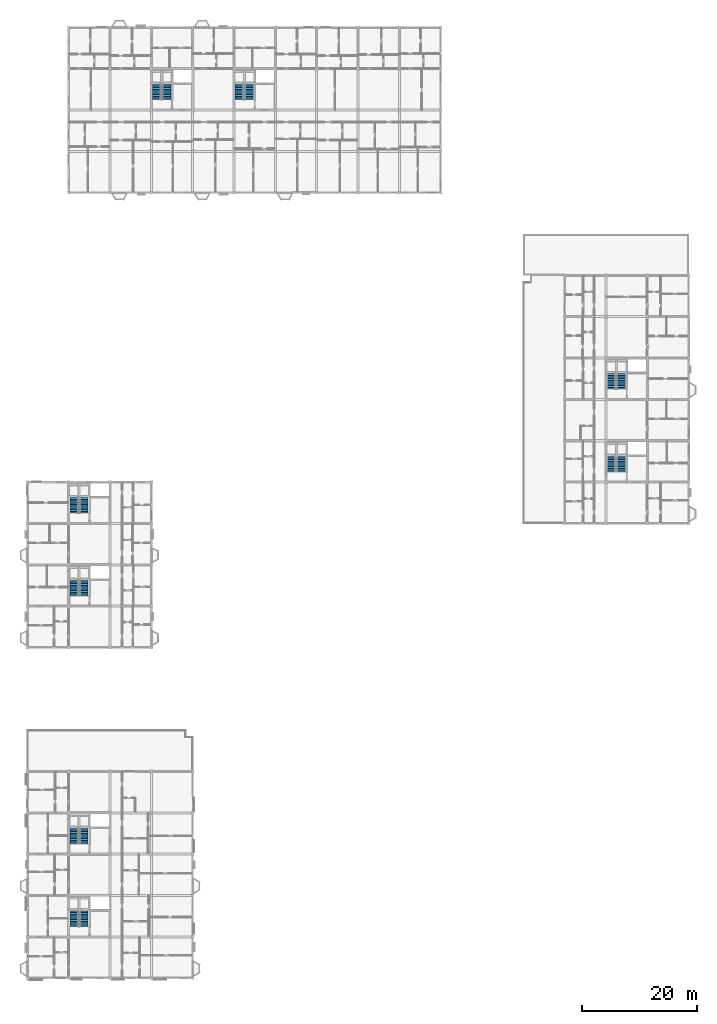
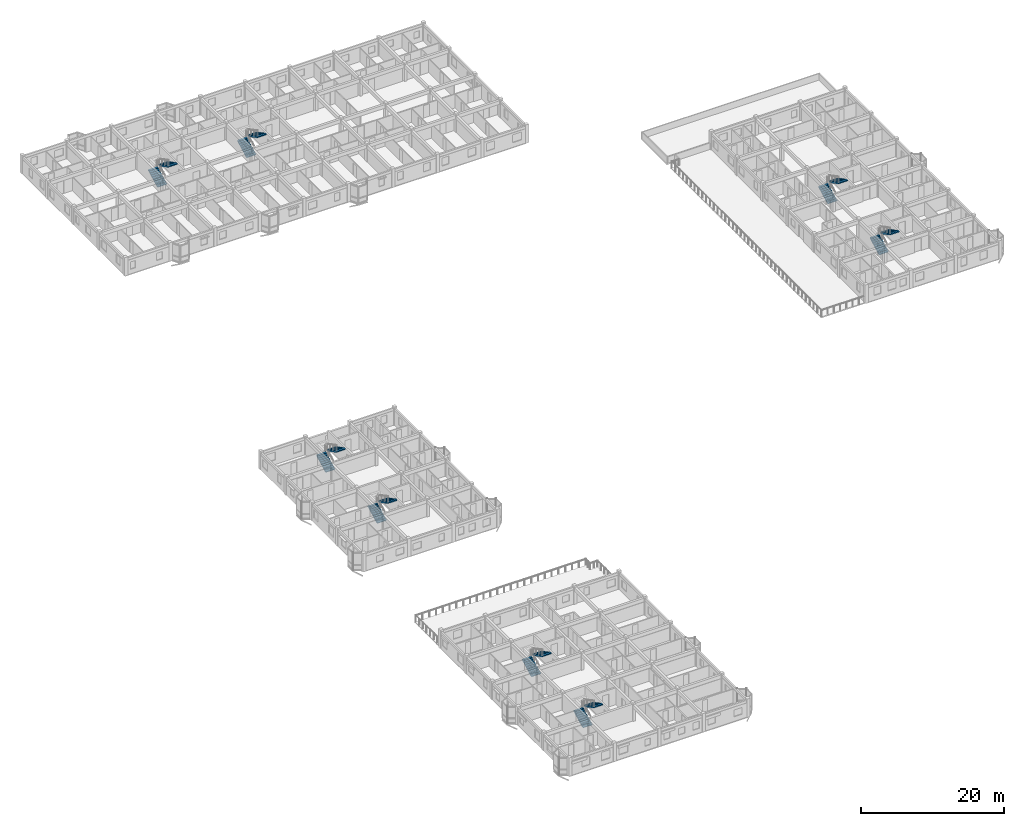
# One storey, part 66 of 70: 16 stair flights, 8 elements without a shape of their own.
"""IFC4 building model written with IfcOpenShell, lengths in metres."""

from ifc_helpers import new_model, si_unit, direction, frame, origin, place, context, subcontext, project, spatial, polyline, outline, extrude, material, type_object, element, aggregate, save


model = new_model("IFC4")

# Units and contexts
model_context = context("Model", 3, precision=1e-05, world=origin(), true_north=direction((0.0, 1.0)))
body_context = subcontext(model_context, "Body", "Model", "MODEL_VIEW")
ifc_project = project(units=[si_unit("LENGTHUNIT", "METRE"), si_unit("AREAUNIT", "SQUARE_METRE"), si_unit("VOLUMEUNIT", "CUBIC_METRE"), si_unit("PLANEANGLEUNIT", "RADIAN"), si_unit("MASSUNIT", "GRAM", prefix="KILO"), si_unit("THERMODYNAMICTEMPERATUREUNIT", "KELVIN"), si_unit("POWERUNIT", "WATT")], contexts=[model_context])

# Site, building, storey
site_placement = place(None, origin())
site = spatial("IfcSite", under=ifc_project, at=site_placement, CompositionType="ELEMENT")
building_placement = place(site_placement, origin())
building = spatial("IfcBuilding", under=site, at=building_placement, Name="Tavuni Mirador Residences", CompositionType="ELEMENT")
storey_placement = place(building_placement, frame((0.0, 0.0, 23.39990234375)))
storey = spatial("IfcBuildingStorey", under=building, at=storey_placement, Name="L07", CompositionType="ELEMENT", Elevation=23.39990234375)

# Stair, stair flights
ifc_material = material(Name="Precast concrete C40/50", Category="concrete")
stair_type = type_object("IfcStairType", Name="STT-TYP", PredefinedType="HALF_TURN_STAIR", material=ifc_material)
stair_1_placement = place(storey_placement, origin())
stair_1 = element("IfcStair", 1, at=stair_1_placement, inside=storey, type_object=stair_type, Name="Protected exit stair ST1 (L07)", PredefinedType="HALF_TURN_STAIR")
stair_flight_type = type_object("IfcStairFlightType", Name="SFT-1500", PredefinedType="STRAIGHT", material=ifc_material)
stair_flight_1_placement = place(storey_placement, frame((11.75, 16.199951171875, 0.0), z_axis=(0.0, 0.0, 1.0), x_axis=(0.0, 1.0, 0.0)))
stair_flight_1 = element("IfcStairFlight", 2, at=stair_flight_1_placement, type_object=stair_flight_type, Name="ST1 flight 1", NumberOfRisers=10, NumberOfTreads=9, PredefinedType="STRAIGHT", RiserHeight=0.1575, TreadLength=0.3, context=body_context, shape_type="SweptSolid", body=[
    extrude(outline(polyline([(0.0, 0.0), (0.0, 0.157470703125), (0.300048828125, 0.157470703125), (0.300048828125, 0.31494140625), (0.60009765625, 0.31494140625), (0.60009765625, 0.472412109375), (0.89990234375, 0.472412109375), (0.89990234375, 0.6298828125), (1.199951171875, 0.6298828125), (1.199951171875, 0.78759765625), (1.5, 0.78759765625), (1.5, 0.945068359375), (1.800048828125, 0.945068359375), (1.800048828125, 1.1025390625), (2.10009765625, 1.1025390625), (2.10009765625, 1.260009765625), (2.39990234375, 1.260009765625), (2.39990234375, 1.41748046875), (2.699951171875, 1.41748046875), (2.699951171875, 1.574951171875), (2.699951171875, 1.23681640625), (0.343994140625, 0.0), (0.0, 0.0)])), frame((0.0, 0.75, 0.0), z_axis=(0.0, -1.0, 0.0), x_axis=(1.0, 0.0, 0.0)), (0.0, 0.0, 1.0), 1.5),
])
stair_flight_2_placement = place(storey_placement, frame((13.449951171875, 18.89990234375, 1.5751953125), z_axis=(0.0, 0.0, 1.0), x_axis=(0.0, -1.0, 0.0)))
stair_flight_2 = element("IfcStairFlight", 3, at=stair_flight_2_placement, type_object=stair_flight_type, Name="ST1 flight 2", NumberOfRisers=10, NumberOfTreads=9, PredefinedType="STRAIGHT", RiserHeight=0.1575, TreadLength=0.3, context=body_context, shape_type="SweptSolid", body=[
    extrude(outline(polyline([(0.0, 0.0), (0.0, 0.157470703125), (0.300048828125, 0.157470703125), (0.300048828125, 0.31494140625), (0.60009765625, 0.31494140625), (0.60009765625, 0.472412109375), (0.89990234375, 0.472412109375), (0.89990234375, 0.6298828125), (1.199951171875, 0.6298828125), (1.199951171875, 0.78759765625), (1.5, 0.78759765625), (1.5, 0.945068359375), (1.800048828125, 0.945068359375), (1.800048828125, 1.1025390625), (2.10009765625, 1.1025390625), (2.10009765625, 1.260009765625), (2.39990234375, 1.260009765625), (2.39990234375, 1.41748046875), (2.699951171875, 1.41748046875), (2.699951171875, 1.574951171875), (2.699951171875, 1.23681640625), (0.343994140625, 0.0), (0.0, 0.0)])), frame((0.0, 0.75, 0.0), z_axis=(0.0, -1.0, 0.0), x_axis=(1.0, 0.0, 0.0)), (0.0, 0.0, 1.0), 1.5),
])
aggregate(stair_1, [stair_flight_1, stair_flight_2])

stair_2_placement = place(storey_placement, origin())
stair_2 = element("IfcStair", 4, at=stair_2_placement, inside=storey, type_object=stair_type, Name="Protected exit stair ST2 (L07)", PredefinedType="HALF_TURN_STAIR")
stair_flight_3_placement = place(storey_placement, frame((11.75, 30.60009765625, 0.0), z_axis=(0.0, 0.0, 1.0), x_axis=(0.0, 1.0, 0.0)))
stair_flight_3 = element("IfcStairFlight", 5, at=stair_flight_3_placement, type_object=stair_flight_type, Name="ST2 flight 1", NumberOfRisers=10, NumberOfTreads=9, PredefinedType="STRAIGHT", RiserHeight=0.1575, TreadLength=0.3, context=body_context, shape_type="SweptSolid", body=[
    extrude(outline(polyline([(0.0, 0.0), (0.0, 0.157470703125), (0.300048828125, 0.157470703125), (0.300048828125, 0.31494140625), (0.60009765625, 0.31494140625), (0.60009765625, 0.472412109375), (0.89990234375, 0.472412109375), (0.89990234375, 0.6298828125), (1.199951171875, 0.6298828125), (1.199951171875, 0.78759765625), (1.5, 0.78759765625), (1.5, 0.945068359375), (1.800048828125, 0.945068359375), (1.800048828125, 1.1025390625), (2.10009765625, 1.1025390625), (2.10009765625, 1.260009765625), (2.39990234375, 1.260009765625), (2.39990234375, 1.41748046875), (2.699951171875, 1.41748046875), (2.699951171875, 1.574951171875), (2.699951171875, 1.23681640625), (0.343994140625, 0.0), (0.0, 0.0)])), frame((0.0, 0.75, 0.0), z_axis=(0.0, -1.0, 0.0), x_axis=(1.0, 0.0, 0.0)), (0.0, 0.0, 1.0), 1.5),
])
stair_flight_4_placement = place(storey_placement, frame((13.449951171875, 33.300048828125, 1.5751953125), z_axis=(0.0, 0.0, 1.0), x_axis=(0.0, -1.0, 0.0)))
stair_flight_4 = element("IfcStairFlight", 6, at=stair_flight_4_placement, type_object=stair_flight_type, Name="ST2 flight 2", NumberOfRisers=10, NumberOfTreads=9, PredefinedType="STRAIGHT", RiserHeight=0.1575, TreadLength=0.3, context=body_context, shape_type="SweptSolid", body=[
    extrude(outline(polyline([(0.0, 0.0), (0.0, 0.157470703125), (0.300048828125, 0.157470703125), (0.300048828125, 0.31494140625), (0.60009765625, 0.31494140625), (0.60009765625, 0.472412109375), (0.89990234375, 0.472412109375), (0.89990234375, 0.6298828125), (1.199951171875, 0.6298828125), (1.199951171875, 0.78759765625), (1.5, 0.78759765625), (1.5, 0.945068359375), (1.800048828125, 0.945068359375), (1.800048828125, 1.1025390625), (2.10009765625, 1.1025390625), (2.10009765625, 1.260009765625), (2.39990234375, 1.260009765625), (2.39990234375, 1.41748046875), (2.699951171875, 1.41748046875), (2.699951171875, 1.574951171875), (2.699951171875, 1.23681640625), (0.343994140625, 0.0), (0.0, 0.0)])), frame((0.0, 0.75, 0.0), z_axis=(0.0, -1.0, 0.0), x_axis=(1.0, 0.0, 0.0)), (0.0, 0.0, 1.0), 1.5),
])
aggregate(stair_2, [stair_flight_3, stair_flight_4])

stair_3_placement = place(storey_placement, origin())
stair_3 = element("IfcStair", 7, at=stair_3_placement, inside=storey, type_object=stair_type, Name="Protected exit stair ST3 (L07)", PredefinedType="HALF_TURN_STAIR")
stair_flight_5_placement = place(storey_placement, frame((11.75, 73.800048828125, 0.0), z_axis=(0.0, 0.0, 1.0), x_axis=(0.0, 1.0, 0.0)))
stair_flight_5 = element("IfcStairFlight", 8, at=stair_flight_5_placement, type_object=stair_flight_type, Name="ST3 flight 1", NumberOfRisers=10, NumberOfTreads=9, PredefinedType="STRAIGHT", RiserHeight=0.1575, TreadLength=0.3, context=body_context, shape_type="SweptSolid", body=[
    extrude(outline(polyline([(0.0, 0.0), (0.0, 0.157470703125), (0.300048828125, 0.157470703125), (0.300048828125, 0.31494140625), (0.60009765625, 0.31494140625), (0.60009765625, 0.472412109375), (0.89990234375, 0.472412109375), (0.89990234375, 0.6298828125), (1.199951171875, 0.6298828125), (1.199951171875, 0.78759765625), (1.5, 0.78759765625), (1.5, 0.945068359375), (1.800048828125, 0.945068359375), (1.800048828125, 1.1025390625), (2.10009765625, 1.1025390625), (2.10009765625, 1.260009765625), (2.39990234375, 1.260009765625), (2.39990234375, 1.41748046875), (2.699951171875, 1.41748046875), (2.699951171875, 1.574951171875), (2.699951171875, 1.23681640625), (0.343994140625, 0.0), (0.0, 0.0)])), frame((0.0, 0.75, 0.0), z_axis=(0.0, -1.0, 0.0), x_axis=(1.0, 0.0, 0.0)), (0.0, 0.0, 1.0), 1.5),
])
stair_flight_6_placement = place(storey_placement, frame((13.449951171875, 76.5, 1.5751953125), z_axis=(0.0, 0.0, 1.0), x_axis=(0.0, -1.0, 0.0)))
stair_flight_6 = element("IfcStairFlight", 9, at=stair_flight_6_placement, type_object=stair_flight_type, Name="ST3 flight 2", NumberOfRisers=10, NumberOfTreads=9, PredefinedType="STRAIGHT", RiserHeight=0.1575, TreadLength=0.3, context=body_context, shape_type="SweptSolid", body=[
    extrude(outline(polyline([(0.0, 0.0), (0.0, 0.157470703125), (0.300048828125, 0.157470703125), (0.300048828125, 0.31494140625), (0.60009765625, 0.31494140625), (0.60009765625, 0.472412109375), (0.89990234375, 0.472412109375), (0.89990234375, 0.6298828125), (1.199951171875, 0.6298828125), (1.199951171875, 0.78759765625), (1.5, 0.78759765625), (1.5, 0.945068359375), (1.800048828125, 0.945068359375), (1.800048828125, 1.1025390625), (2.10009765625, 1.1025390625), (2.10009765625, 1.260009765625), (2.39990234375, 1.260009765625), (2.39990234375, 1.41748046875), (2.699951171875, 1.41748046875), (2.699951171875, 1.574951171875), (2.699951171875, 1.23681640625), (0.343994140625, 0.0), (0.0, 0.0)])), frame((0.0, 0.75, 0.0), z_axis=(0.0, -1.0, 0.0), x_axis=(1.0, 0.0, 0.0)), (0.0, 0.0, 1.0), 1.5),
])
aggregate(stair_3, [stair_flight_5, stair_flight_6])

stair_4_placement = place(storey_placement, origin())
stair_4 = element("IfcStair", 10, at=stair_4_placement, inside=storey, type_object=stair_type, Name="Protected exit stair ST4 (L07)", PredefinedType="HALF_TURN_STAIR")
stair_flight_7_placement = place(storey_placement, frame((11.75, 88.199951171875, 0.0), z_axis=(0.0, 0.0, 1.0), x_axis=(0.0, 1.0, 0.0)))
stair_flight_7 = element("IfcStairFlight", 11, at=stair_flight_7_placement, type_object=stair_flight_type, Name="ST4 flight 1", NumberOfRisers=10, NumberOfTreads=9, PredefinedType="STRAIGHT", RiserHeight=0.1575, TreadLength=0.3, context=body_context, shape_type="SweptSolid", body=[
    extrude(outline(polyline([(0.0, 0.0), (0.0, 0.157470703125), (0.300048828125, 0.157470703125), (0.300048828125, 0.31494140625), (0.60009765625, 0.31494140625), (0.60009765625, 0.472412109375), (0.89990234375, 0.472412109375), (0.89990234375, 0.6298828125), (1.199951171875, 0.6298828125), (1.199951171875, 0.78759765625), (1.5, 0.78759765625), (1.5, 0.945068359375), (1.800048828125, 0.945068359375), (1.800048828125, 1.1025390625), (2.10009765625, 1.1025390625), (2.10009765625, 1.260009765625), (2.39990234375, 1.260009765625), (2.39990234375, 1.41748046875), (2.699951171875, 1.41748046875), (2.699951171875, 1.574951171875), (2.699951171875, 1.23681640625), (0.343994140625, 0.0), (0.0, 0.0)])), frame((0.0, 0.75, 0.0), z_axis=(0.0, -1.0, 0.0), x_axis=(1.0, 0.0, 0.0)), (0.0, 0.0, 1.0), 1.5),
])
stair_flight_8_placement = place(storey_placement, frame((13.449951171875, 90.89990234375, 1.5751953125), z_axis=(0.0, 0.0, 1.0), x_axis=(0.0, -1.0, 0.0)))
stair_flight_8 = element("IfcStairFlight", 12, at=stair_flight_8_placement, type_object=stair_flight_type, Name="ST4 flight 2", NumberOfRisers=10, NumberOfTreads=9, PredefinedType="STRAIGHT", RiserHeight=0.1575, TreadLength=0.3, context=body_context, shape_type="SweptSolid", body=[
    extrude(outline(polyline([(0.0, 0.0), (0.0, 0.157470703125), (0.300048828125, 0.157470703125), (0.300048828125, 0.31494140625), (0.60009765625, 0.31494140625), (0.60009765625, 0.472412109375), (0.89990234375, 0.472412109375), (0.89990234375, 0.6298828125), (1.199951171875, 0.6298828125), (1.199951171875, 0.78759765625), (1.5, 0.78759765625), (1.5, 0.945068359375), (1.800048828125, 0.945068359375), (1.800048828125, 1.1025390625), (2.10009765625, 1.1025390625), (2.10009765625, 1.260009765625), (2.39990234375, 1.260009765625), (2.39990234375, 1.41748046875), (2.699951171875, 1.41748046875), (2.699951171875, 1.574951171875), (2.699951171875, 1.23681640625), (0.343994140625, 0.0), (0.0, 0.0)])), frame((0.0, 0.75, 0.0), z_axis=(0.0, -1.0, 0.0), x_axis=(1.0, 0.0, 0.0)), (0.0, 0.0, 1.0), 1.5),
])
aggregate(stair_4, [stair_flight_7, stair_flight_8])

stair_5_placement = place(storey_placement, origin())
stair_5 = element("IfcStair", 13, at=stair_5_placement, inside=storey, type_object=stair_type, Name="Protected exit stair ST5 (L07)", PredefinedType="HALF_TURN_STAIR")
stair_flight_9_placement = place(storey_placement, frame((26.14990234375, 160.199951171875, 0.0), z_axis=(0.0, 0.0, 1.0), x_axis=(0.0, 1.0, 0.0)))
stair_flight_9 = element("IfcStairFlight", 14, at=stair_flight_9_placement, type_object=stair_flight_type, Name="ST5 flight 1", NumberOfRisers=10, NumberOfTreads=9, PredefinedType="STRAIGHT", RiserHeight=0.1575, TreadLength=0.3, context=body_context, shape_type="SweptSolid", body=[
    extrude(outline(polyline([(0.0, 0.0), (0.0, 0.157470703125), (0.300048828125, 0.157470703125), (0.300048828125, 0.31494140625), (0.60009765625, 0.31494140625), (0.60009765625, 0.472412109375), (0.89990234375, 0.472412109375), (0.89990234375, 0.6298828125), (1.199951171875, 0.6298828125), (1.199951171875, 0.78759765625), (1.5, 0.78759765625), (1.5, 0.945068359375), (1.800048828125, 0.945068359375), (1.800048828125, 1.1025390625), (2.10009765625, 1.1025390625), (2.10009765625, 1.260009765625), (2.39990234375, 1.260009765625), (2.39990234375, 1.41748046875), (2.699951171875, 1.41748046875), (2.699951171875, 1.574951171875), (2.699951171875, 1.23681640625), (0.343994140625, 0.0), (0.0, 0.0)])), frame((0.0, 0.75, 0.0), z_axis=(0.0, -1.0, 0.0), x_axis=(1.0, 0.0, 0.0)), (0.0, 0.0, 1.0), 1.5),
])
stair_flight_10_placement = place(storey_placement, frame((27.85009765625, 162.89990234375, 1.5751953125), z_axis=(0.0, 0.0, 1.0), x_axis=(0.0, -1.0, 0.0)))
stair_flight_10 = element("IfcStairFlight", 15, at=stair_flight_10_placement, type_object=stair_flight_type, Name="ST5 flight 2", NumberOfRisers=10, NumberOfTreads=9, PredefinedType="STRAIGHT", RiserHeight=0.1575, TreadLength=0.3, context=body_context, shape_type="SweptSolid", body=[
    extrude(outline(polyline([(0.0, 0.0), (0.0, 0.157470703125), (0.300048828125, 0.157470703125), (0.300048828125, 0.31494140625), (0.60009765625, 0.31494140625), (0.60009765625, 0.472412109375), (0.89990234375, 0.472412109375), (0.89990234375, 0.6298828125), (1.199951171875, 0.6298828125), (1.199951171875, 0.78759765625), (1.5, 0.78759765625), (1.5, 0.945068359375), (1.800048828125, 0.945068359375), (1.800048828125, 1.1025390625), (2.10009765625, 1.1025390625), (2.10009765625, 1.260009765625), (2.39990234375, 1.260009765625), (2.39990234375, 1.41748046875), (2.699951171875, 1.41748046875), (2.699951171875, 1.574951171875), (2.699951171875, 1.23681640625), (0.343994140625, 0.0), (0.0, 0.0)])), frame((0.0, 0.75, 0.0), z_axis=(0.0, -1.0, 0.0), x_axis=(1.0, 0.0, 0.0)), (0.0, 0.0, 1.0), 1.5),
])
aggregate(stair_5, [stair_flight_9, stair_flight_10])

stair_6_placement = place(storey_placement, origin())
stair_6 = element("IfcStair", 16, at=stair_6_placement, inside=storey, type_object=stair_type, Name="Protected exit stair ST6 (L07)", PredefinedType="HALF_TURN_STAIR")
stair_flight_11_placement = place(storey_placement, frame((40.550048828125, 160.199951171875, 0.0), z_axis=(0.0, 0.0, 1.0), x_axis=(0.0, 1.0, 0.0)))
stair_flight_11 = element("IfcStairFlight", 17, at=stair_flight_11_placement, type_object=stair_flight_type, Name="ST6 flight 1", NumberOfRisers=10, NumberOfTreads=9, PredefinedType="STRAIGHT", RiserHeight=0.1575, TreadLength=0.3, context=body_context, shape_type="SweptSolid", body=[
    extrude(outline(polyline([(0.0, 0.0), (0.0, 0.157470703125), (0.300048828125, 0.157470703125), (0.300048828125, 0.31494140625), (0.60009765625, 0.31494140625), (0.60009765625, 0.472412109375), (0.89990234375, 0.472412109375), (0.89990234375, 0.6298828125), (1.199951171875, 0.6298828125), (1.199951171875, 0.78759765625), (1.5, 0.78759765625), (1.5, 0.945068359375), (1.800048828125, 0.945068359375), (1.800048828125, 1.1025390625), (2.10009765625, 1.1025390625), (2.10009765625, 1.260009765625), (2.39990234375, 1.260009765625), (2.39990234375, 1.41748046875), (2.699951171875, 1.41748046875), (2.699951171875, 1.574951171875), (2.699951171875, 1.23681640625), (0.343994140625, 0.0), (0.0, 0.0)])), frame((0.0, 0.75, 0.0), z_axis=(0.0, -1.0, 0.0), x_axis=(1.0, 0.0, 0.0)), (0.0, 0.0, 1.0), 1.5),
])
stair_flight_12_placement = place(storey_placement, frame((42.25, 162.89990234375, 1.5751953125), z_axis=(0.0, 0.0, 1.0), x_axis=(0.0, -1.0, 0.0)))
stair_flight_12 = element("IfcStairFlight", 18, at=stair_flight_12_placement, type_object=stair_flight_type, Name="ST6 flight 2", NumberOfRisers=10, NumberOfTreads=9, PredefinedType="STRAIGHT", RiserHeight=0.1575, TreadLength=0.3, context=body_context, shape_type="SweptSolid", body=[
    extrude(outline(polyline([(0.0, 0.0), (0.0, 0.157470703125), (0.300048828125, 0.157470703125), (0.300048828125, 0.31494140625), (0.60009765625, 0.31494140625), (0.60009765625, 0.472412109375), (0.89990234375, 0.472412109375), (0.89990234375, 0.6298828125), (1.199951171875, 0.6298828125), (1.199951171875, 0.78759765625), (1.5, 0.78759765625), (1.5, 0.945068359375), (1.800048828125, 0.945068359375), (1.800048828125, 1.1025390625), (2.10009765625, 1.1025390625), (2.10009765625, 1.260009765625), (2.39990234375, 1.260009765625), (2.39990234375, 1.41748046875), (2.699951171875, 1.41748046875), (2.699951171875, 1.574951171875), (2.699951171875, 1.23681640625), (0.343994140625, 0.0), (0.0, 0.0)])), frame((0.0, 0.75, 0.0), z_axis=(0.0, -1.0, 0.0), x_axis=(1.0, 0.0, 0.0)), (0.0, 0.0, 1.0), 1.5),
])
aggregate(stair_6, [stair_flight_11, stair_flight_12])

stair_7_placement = place(storey_placement, origin())
stair_7 = element("IfcStair", 19, at=stair_7_placement, inside=storey, type_object=stair_type, Name="Protected exit stair ST7 (L07)", PredefinedType="HALF_TURN_STAIR")
stair_flight_13_placement = place(storey_placement, frame((105.35009765625, 95.39990234375, 0.0), z_axis=(0.0, 0.0, 1.0), x_axis=(0.0, 1.0, 0.0)))
stair_flight_13 = element("IfcStairFlight", 20, at=stair_flight_13_placement, type_object=stair_flight_type, Name="ST7 flight 1", NumberOfRisers=10, NumberOfTreads=9, PredefinedType="STRAIGHT", RiserHeight=0.1575, TreadLength=0.3, context=body_context, shape_type="SweptSolid", body=[
    extrude(outline(polyline([(0.0, 0.0), (0.0, 0.157470703125), (0.300048828125, 0.157470703125), (0.300048828125, 0.31494140625), (0.60009765625, 0.31494140625), (0.60009765625, 0.472412109375), (0.89990234375, 0.472412109375), (0.89990234375, 0.6298828125), (1.199951171875, 0.6298828125), (1.199951171875, 0.78759765625), (1.5, 0.78759765625), (1.5, 0.945068359375), (1.800048828125, 0.945068359375), (1.800048828125, 1.1025390625), (2.10009765625, 1.1025390625), (2.10009765625, 1.260009765625), (2.39990234375, 1.260009765625), (2.39990234375, 1.41748046875), (2.699951171875, 1.41748046875), (2.699951171875, 1.574951171875), (2.699951171875, 1.23681640625), (0.343994140625, 0.0), (0.0, 0.0)])), frame((0.0, 0.75, 0.0), z_axis=(0.0, -1.0, 0.0), x_axis=(1.0, 0.0, 0.0)), (0.0, 0.0, 1.0), 1.5),
])
stair_flight_14_placement = place(storey_placement, frame((107.050048828125, 98.10009765625, 1.5751953125), z_axis=(0.0, 0.0, 1.0), x_axis=(0.0, -1.0, 0.0)))
stair_flight_14 = element("IfcStairFlight", 21, at=stair_flight_14_placement, type_object=stair_flight_type, Name="ST7 flight 2", NumberOfRisers=10, NumberOfTreads=9, PredefinedType="STRAIGHT", RiserHeight=0.1575, TreadLength=0.3, context=body_context, shape_type="SweptSolid", body=[
    extrude(outline(polyline([(0.0, 0.0), (0.0, 0.157470703125), (0.300048828125, 0.157470703125), (0.300048828125, 0.31494140625), (0.60009765625, 0.31494140625), (0.60009765625, 0.472412109375), (0.89990234375, 0.472412109375), (0.89990234375, 0.6298828125), (1.199951171875, 0.6298828125), (1.199951171875, 0.78759765625), (1.5, 0.78759765625), (1.5, 0.945068359375), (1.800048828125, 0.945068359375), (1.800048828125, 1.1025390625), (2.10009765625, 1.1025390625), (2.10009765625, 1.260009765625), (2.39990234375, 1.260009765625), (2.39990234375, 1.41748046875), (2.699951171875, 1.41748046875), (2.699951171875, 1.574951171875), (2.699951171875, 1.23681640625), (0.343994140625, 0.0), (0.0, 0.0)])), frame((0.0, 0.75, 0.0), z_axis=(0.0, -1.0, 0.0), x_axis=(1.0, 0.0, 0.0)), (0.0, 0.0, 1.0), 1.5),
])
aggregate(stair_7, [stair_flight_13, stair_flight_14])

stair_8_placement = place(storey_placement, origin())
stair_8 = element("IfcStair", 22, at=stair_8_placement, inside=storey, type_object=stair_type, Name="Protected exit stair ST8 (L07)", PredefinedType="HALF_TURN_STAIR")
stair_flight_15_placement = place(storey_placement, frame((105.35009765625, 109.800048828125, 0.0), z_axis=(0.0, 0.0, 1.0), x_axis=(0.0, 1.0, 0.0)))
stair_flight_15 = element("IfcStairFlight", 23, at=stair_flight_15_placement, type_object=stair_flight_type, Name="ST8 flight 1", NumberOfRisers=10, NumberOfTreads=9, PredefinedType="STRAIGHT", RiserHeight=0.1575, TreadLength=0.3, context=body_context, shape_type="SweptSolid", body=[
    extrude(outline(polyline([(0.0, 0.0), (0.0, 0.157470703125), (0.300048828125, 0.157470703125), (0.300048828125, 0.31494140625), (0.60009765625, 0.31494140625), (0.60009765625, 0.472412109375), (0.89990234375, 0.472412109375), (0.89990234375, 0.6298828125), (1.199951171875, 0.6298828125), (1.199951171875, 0.78759765625), (1.5, 0.78759765625), (1.5, 0.945068359375), (1.800048828125, 0.945068359375), (1.800048828125, 1.1025390625), (2.10009765625, 1.1025390625), (2.10009765625, 1.260009765625), (2.39990234375, 1.260009765625), (2.39990234375, 1.41748046875), (2.699951171875, 1.41748046875), (2.699951171875, 1.574951171875), (2.699951171875, 1.23681640625), (0.343994140625, 0.0), (0.0, 0.0)])), frame((0.0, 0.75, 0.0), z_axis=(0.0, -1.0, 0.0), x_axis=(1.0, 0.0, 0.0)), (0.0, 0.0, 1.0), 1.5),
])
stair_flight_16_placement = place(storey_placement, frame((107.050048828125, 112.5, 1.5751953125), z_axis=(0.0, 0.0, 1.0), x_axis=(0.0, -1.0, 0.0)))
stair_flight_16 = element("IfcStairFlight", 24, at=stair_flight_16_placement, type_object=stair_flight_type, Name="ST8 flight 2", NumberOfRisers=10, NumberOfTreads=9, PredefinedType="STRAIGHT", RiserHeight=0.1575, TreadLength=0.3, context=body_context, shape_type="SweptSolid", body=[
    extrude(outline(polyline([(0.0, 0.0), (0.0, 0.157470703125), (0.300048828125, 0.157470703125), (0.300048828125, 0.31494140625), (0.60009765625, 0.31494140625), (0.60009765625, 0.472412109375), (0.89990234375, 0.472412109375), (0.89990234375, 0.6298828125), (1.199951171875, 0.6298828125), (1.199951171875, 0.78759765625), (1.5, 0.78759765625), (1.5, 0.945068359375), (1.800048828125, 0.945068359375), (1.800048828125, 1.1025390625), (2.10009765625, 1.1025390625), (2.10009765625, 1.260009765625), (2.39990234375, 1.260009765625), (2.39990234375, 1.41748046875), (2.699951171875, 1.41748046875), (2.699951171875, 1.574951171875), (2.699951171875, 1.23681640625), (0.343994140625, 0.0), (0.0, 0.0)])), frame((0.0, 0.75, 0.0), z_axis=(0.0, -1.0, 0.0), x_axis=(1.0, 0.0, 0.0)), (0.0, 0.0, 1.0), 1.5),
])
aggregate(stair_8, [stair_flight_15, stair_flight_16])

save(model, "model.ifc")
